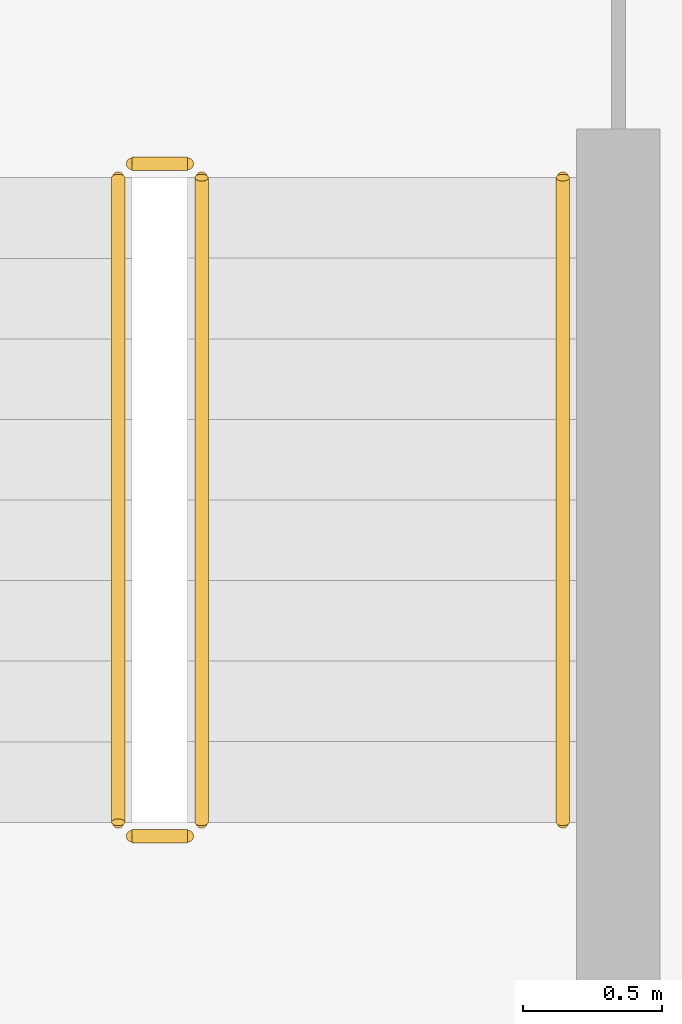
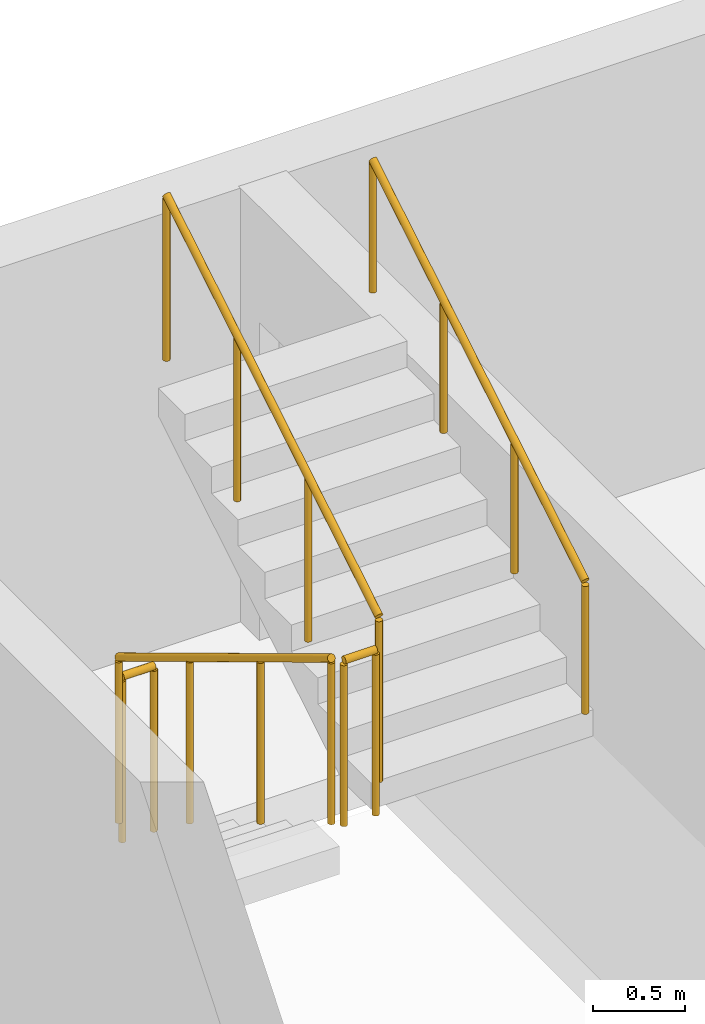
# One storey, part 54 of 56: 5 railings.
"""IFC4 building model written with IfcOpenShell, lengths in metres."""

from ifc_helpers import new_model, si_unit, derived_unit, direction, frame, origin, origin_2d, place, context, subcontext, project, spatial, circle, extrude, material, type_object, element, save


model = new_model("IFC4")

# Units and contexts
model_context = context("Model", 3, precision=1e-05, world=origin(), true_north=direction((0.0, 1.0)))
body_context = subcontext(model_context, "Body", "Model", "MODEL_VIEW")
ifc_project = project(units=[si_unit("LENGTHUNIT", "METRE"), si_unit("AREAUNIT", "SQUARE_METRE"), si_unit("VOLUMEUNIT", "CUBIC_METRE"), si_unit("PLANEANGLEUNIT", "RADIAN"), si_unit("MASSUNIT", "GRAM", prefix="KILO"), derived_unit("THERMALTRANSMITTANCEUNIT", [(si_unit("MASSUNIT", "GRAM", prefix="KILO"), 1), (si_unit("TIMEUNIT", "SECOND"), -3), (si_unit("THERMODYNAMICTEMPERATUREUNIT", "KELVIN"), -1)])], contexts=[model_context])

# Site, building, storey
site_placement = place(None, origin())
site = spatial("IfcSite", under=ifc_project, at=site_placement, CompositionType="ELEMENT")
building_placement = place(site_placement, origin())
building = spatial("IfcBuilding", under=site, at=building_placement, Name="Ochrekiln Boulevard Commons", CompositionType="ELEMENT")
storey_placement = place(building_placement, frame((0.0, 0.0, 12.074951171875)))
storey = spatial("IfcBuildingStorey", under=building, at=storey_placement, Name="L03", CompositionType="ELEMENT", Elevation=12.074951171875)

# Railings
ifc_material = material(Name="Brushed stainless steel 316 tubular railing", Category="steel")
railing_type_1 = type_object("IfcRailingType", Name="RLG-HDR-900", PredefinedType="HANDRAIL", material=ifc_material)
railing_1_placement = place(storey_placement, frame((160.550048828125, 114.610107421875, 1.75)))
element("IfcRailing", 1, at=railing_1_placement, inside=storey, type_object=railing_type_1, Name="L03 ST-B2 stair handrail 2", PredefinedType="HANDRAIL", context=body_context, shape_type="SweptSolid", body=[
    extrude(circle(Radius=0.02392578125, at=origin_2d()), frame((0.0, 0.0, 0.8759765625), z_axis=(0.0, 0.856146426353, 0.516733293531), x_axis=(-1.0, 0.0, 0.0)), (0.0, 0.0, 1.0), 2.709716796875),
    extrude(circle(Radius=0.02099609375, at=origin_2d()), origin(), (0.0, 0.0, 1.0), 0.851806640625),
    extrude(circle(Radius=0.02099609375, at=origin_2d()), frame((0.0, 0.773193359375, 0.466796875)), (0.0, 0.0, 1.0), 0.851806640625),
    extrude(circle(Radius=0.02099609375, at=origin_2d()), frame((0.0, 1.546630859375, 0.933349609375)), (0.0, 0.0, 1.0), 0.851806640625),
    extrude(circle(Radius=0.02099609375, at=origin_2d()), frame((0.0, 2.31982421875, 1.400146484375)), (0.0, 0.0, 1.0), 0.851806640625),
])
railing_type_2 = type_object("IfcRailingType", Name="RLG-STR-1120", PredefinedType="BALUSTRADE", material=ifc_material)
railing_2_placement = place(storey_placement, frame((158.949951171875, 116.929931640625, 0.175048828125)))
element("IfcRailing", 2, at=railing_2_placement, inside=storey, type_object=railing_type_2, Name="L03 ST-B2 stair guard 1", PredefinedType="BALUSTRADE", context=body_context, shape_type="SweptSolid", body=[
    extrude(circle(Radius=0.02392578125, at=origin_2d()), frame((0.0, 0.0, 1.09619140625), z_axis=(0.0, -0.856186286599, 0.516667245565), x_axis=(1.0, 0.0, 0.0)), (0.0, 0.0, 1.0), 2.70947265625),
    extrude(circle(Radius=0.02099609375, at=origin_2d()), origin(), (0.0, 0.0, 1.0), 1.072021484375),
    extrude(circle(Radius=0.02099609375, at=origin_2d()), frame((0.0, -0.773193359375, 0.466552734375)), (0.0, 0.0, 1.0), 1.072021484375),
    extrude(circle(Radius=0.02099609375, at=origin_2d()), frame((0.0, -1.546630859375, 0.933349609375)), (0.0, 0.0, 1.0), 1.072021484375),
    extrude(circle(Radius=0.02099609375, at=origin_2d()), frame((0.0, -2.31982421875, 1.39990234375)), (0.0, 0.0, 1.0), 1.072021484375),
])
railing_3_placement = place(storey_placement, frame((159.0, 114.56005859375, 1.574951171875)))
element("IfcRailing", 3, at=railing_3_placement, inside=storey, type_object=railing_type_2, Name="L03 ST-B2 stair guard 2", PredefinedType="BALUSTRADE", context=body_context, shape_type="SweptSolid", body=[
    extrude(circle(Radius=0.02392578125, at=origin_2d()), frame((0.0, 0.0, 1.09619140625), z_axis=(1.0, 0.0, 0.0), x_axis=(0.0, 1.0, 0.0)), (0.0, 0.0, 1.0), 0.199951171875),
    extrude(circle(Radius=0.02099609375, at=origin_2d()), origin(), (0.0, 0.0, 1.0), 1.072021484375),
    extrude(circle(Radius=0.02099609375, at=origin_2d()), frame((0.199951171875, 0.0, 0.0)), (0.0, 0.0, 1.0), 1.072021484375),
])
railing_4_placement = place(storey_placement, frame((159.25, 114.610107421875, 1.75)))
element("IfcRailing", 4, at=railing_4_placement, inside=storey, type_object=railing_type_2, Name="L03 ST-B2 stair guard 3", PredefinedType="BALUSTRADE", context=body_context, shape_type="SweptSolid", body=[
    extrude(circle(Radius=0.02392578125, at=origin_2d()), frame((0.0, 0.0, 1.09619140625), z_axis=(0.0, 0.856146426353, 0.516733293531), x_axis=(-1.0, 0.0, 0.0)), (0.0, 0.0, 1.0), 2.709716796875),
    extrude(circle(Radius=0.02099609375, at=origin_2d()), origin(), (0.0, 0.0, 1.0), 1.072021484375),
    extrude(circle(Radius=0.02099609375, at=origin_2d()), frame((0.0, 0.773193359375, 0.466796875)), (0.0, 0.0, 1.0), 1.072021484375),
    extrude(circle(Radius=0.02099609375, at=origin_2d()), frame((0.0, 1.546630859375, 0.933349609375)), (0.0, 0.0, 1.0), 1.072021484375),
    extrude(circle(Radius=0.02099609375, at=origin_2d()), frame((0.0, 2.31982421875, 1.400146484375)), (0.0, 0.0, 1.0), 1.072021484375),
])
railing_5_placement = place(storey_placement, frame((159.0, 116.97998046875, 0.0)))
element("IfcRailing", 5, at=railing_5_placement, inside=storey, type_object=railing_type_2, Name="L03 ST-B2 stair guard 4", PredefinedType="BALUSTRADE", context=body_context, shape_type="SweptSolid", body=[
    extrude(circle(Radius=0.02392578125, at=origin_2d()), frame((0.0, 0.0, 1.09619140625), z_axis=(1.0, 0.0, 0.0), x_axis=(0.0, 1.0, 0.0)), (0.0, 0.0, 1.0), 0.199951171875),
    extrude(circle(Radius=0.02099609375, at=origin_2d()), origin(), (0.0, 0.0, 1.0), 1.072021484375),
    extrude(circle(Radius=0.02099609375, at=origin_2d()), frame((0.199951171875, 0.0, 0.0)), (0.0, 0.0, 1.0), 1.072021484375),
])

save(model, "model.ifc")
